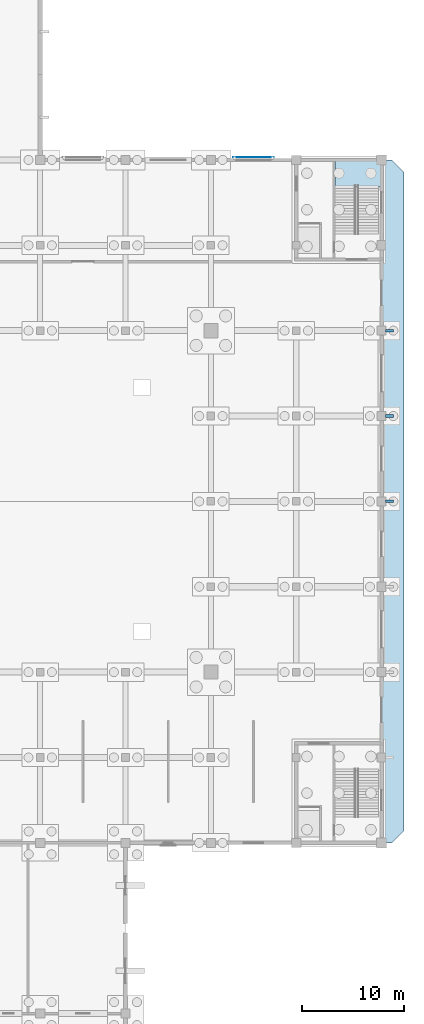
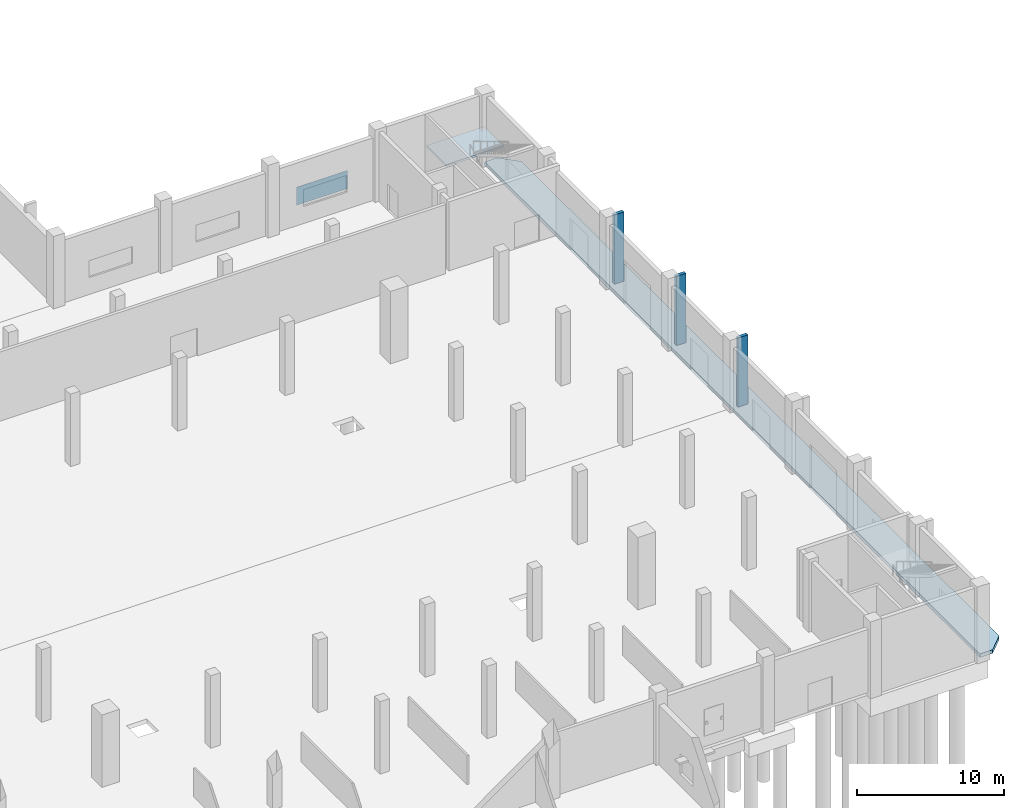
# One storey, part 49 of 72: 4 plates, 2 slabs, 1 element without a shape of its own.
"""IFC4 building model written with IfcOpenShell, lengths in metres."""

from ifc_helpers import new_model, si_unit, direction, frame, frame_2d, origin, place, context, subcontext, project, spatial, polyline, rectangle, outline, extrude, material, layer, layer_set, type_object, element, aggregate, save


model = new_model("IFC4")

# Units and contexts
model_context = context("Model", 3, precision=1e-05, world=origin(), true_north=direction((0.0, 1.0)))
body_context = subcontext(model_context, "Body", "Model", "MODEL_VIEW")
ifc_project = project(units=[si_unit("LENGTHUNIT", "METRE"), si_unit("AREAUNIT", "SQUARE_METRE"), si_unit("VOLUMEUNIT", "CUBIC_METRE"), si_unit("PLANEANGLEUNIT", "RADIAN"), si_unit("MASSUNIT", "GRAM", prefix="KILO")], contexts=[model_context])

# Site, building, storey
site_placement = place(None, origin())
site = spatial("IfcSite", under=ifc_project, at=site_placement, CompositionType="ELEMENT")
building_placement = place(site_placement, origin())
building = spatial("IfcBuilding", under=site, at=building_placement, Name="Qawsi Khor Wholesale Market", CompositionType="ELEMENT")
storey_placement = place(building_placement, origin())
storey = spatial("IfcBuildingStorey", under=building, at=storey_placement, Name="L00", CompositionType="ELEMENT", Elevation=0.0)

# Slab
ifc_material_1 = material(Name="Concrete C45/55", Category="concrete")
ifc_layer_1 = layer(ifc_material_1, 0.31005859375, Name="Concrete C45/55")
ifc_layer_set_1 = layer_set([ifc_layer_1], Name="Concrete C45/55")
slab_type_1 = type_object("IfcSlabType", Name="Arcade & Forecourt Structural Deck 310 C45/55", PredefinedType="BASESLAB", material=ifc_layer_set_1)
slab_1_placement = place(storey_placement, frame((0.0, 0.0, -0.31005859375)))
element("IfcSlab", 1, at=slab_1_placement, inside=storey, type_object=slab_type_1, Name="SLB-L00-E-APRON", PredefinedType="BASESLAB", context=body_context, shape_type="SweptSolid", body=[
    extrude(outline(polyline([(218.39990234375, 42.0), (219.39990234375, 42.0), (220.60009765625, 43.199951171875), (220.60009765625, 108.0), (219.39990234375, 109.199951171875), (218.39990234375, 109.199951171875), (218.39990234375, 42.0)])), origin(), (0.0, 0.0, 1.0), 0.31005859375),
])

# Plates
ifc_material_2 = material(Name="Perforated Bronze-Anodised Aluminium", Category="aluminium")
ifc_layer_2 = layer(ifc_material_2, 0.02001953125, Name="Perforated Bronze-Anodised Aluminium")
ifc_layer_set_2 = layer_set([ifc_layer_2], Name="Perforated Bronze-Anodised Aluminium")
plate_type_1 = type_object("IfcPlateType", Name="Perforated Bronze Mashrabiya Screen 20mm", PredefinedType="SHEET", material=ifc_layer_set_2)
plate_placement = place(storey_placement, frame((203.800048828125, 109.465087890625, 1.35009765625), z_axis=(0.0, 0.0, 1.0), x_axis=(1.0, 0.0, 0.0)))
element("IfcPlate", 2, at=plate_placement, inside=storey, type_object=plate_type_1, Name="Solar mashrabiya screen 091", PredefinedType="SHEET", context=body_context, shape_type="SweptSolid", body=[
    extrude(rectangle(XDim=4.0, YDim=0.02001953125, at=frame_2d((2.0, 0.0))), origin(), (0.0, 0.0, 1.0), 1.5),
])
ifc_material_3 = material(Name="Concrete C40/50", Category="concrete")
ifc_layer_3 = layer(ifc_material_3, 0.260009765625, Name="Concrete C40/50")
ifc_layer_set_3 = layer_set([ifc_layer_3], Name="Concrete C40/50")
plate_type_2 = type_object("IfcPlateType", Name="Sculpted Concrete Solar Buttress Fin 260", PredefinedType="SHEET", material=ifc_layer_set_3)
for number, where, z_axis, x_axis, name in (
    (3, (218.7900390625, 75.60009765625, 0.0), (0.0, 0.0, 1.0), (1.0, 0.0, 0.0), "East Hall Concrete Buttress Rib L00-9"),
    (4, (218.7900390625, 84.0, 0.0), (0.0, 0.0, 1.0), (1.0, 0.0, 0.0), "East Hall Concrete Buttress Rib L00-10"),
    (5, (218.7900390625, 92.39990234375, 0.0), (0.0, 0.0, 1.0), (1.0, 0.0, 0.0), "East Hall Concrete Buttress Rib L00-11"),
):
    element("IfcPlate", number, at=place(storey_placement, frame(where, z_axis=z_axis, x_axis=x_axis)), inside=storey, type_object=plate_type_2, Name=name, PredefinedType="SHEET", context=body_context, shape_type="SweptSolid", body=[
        extrude(rectangle(XDim=0.760009765625, YDim=0.260009765625, at=frame_2d((0.3798828125, 0.0))), origin(), (0.0, 0.0, 1.0), 5.72998046875),
    ])

# Stair, slab
stair_type = type_object("IfcStairType", Name="Exit Stair L00-L01 6000 Rise", PredefinedType="HALF_TURN_STAIR", material=ifc_material_3)
stair_placement = place(storey_placement, origin())
stair = element("IfcStair", 6, at=stair_placement, inside=storey, type_object=stair_type, Name="Stair ST-12 L00", PredefinedType="HALF_TURN_STAIR")
ifc_layer_4 = layer(ifc_material_3, 0.179931640625, Name="Concrete C40/50")
ifc_layer_set_4 = layer_set([ifc_layer_4], Name="Concrete C40/50")
slab_type_2 = type_object("IfcSlabType", Name="Stair Half-Landing Slab 180 C40/50", PredefinedType="LANDING", material=ifc_layer_set_4)
slab_2_placement = place(storey_placement, frame((0.0, 0.0, 2.820068359375)))
slab_2 = element("IfcSlab", 7, at=slab_2_placement, type_object=slab_type_2, Name="ST-12-L00 landing 1", PredefinedType="LANDING", context=body_context, shape_type="SweptSolid", body=[
    extrude(outline(polyline([(213.820068359375, 106.52001953125), (218.35009765625, 106.52001953125), (218.35009765625, 109.14990234375), (213.820068359375, 109.14990234375), (213.820068359375, 106.52001953125)])), origin(), (0.0, 0.0, 1.0), 0.179931640625),
])
aggregate(stair, [slab_2])

save(model, "model.ifc")
